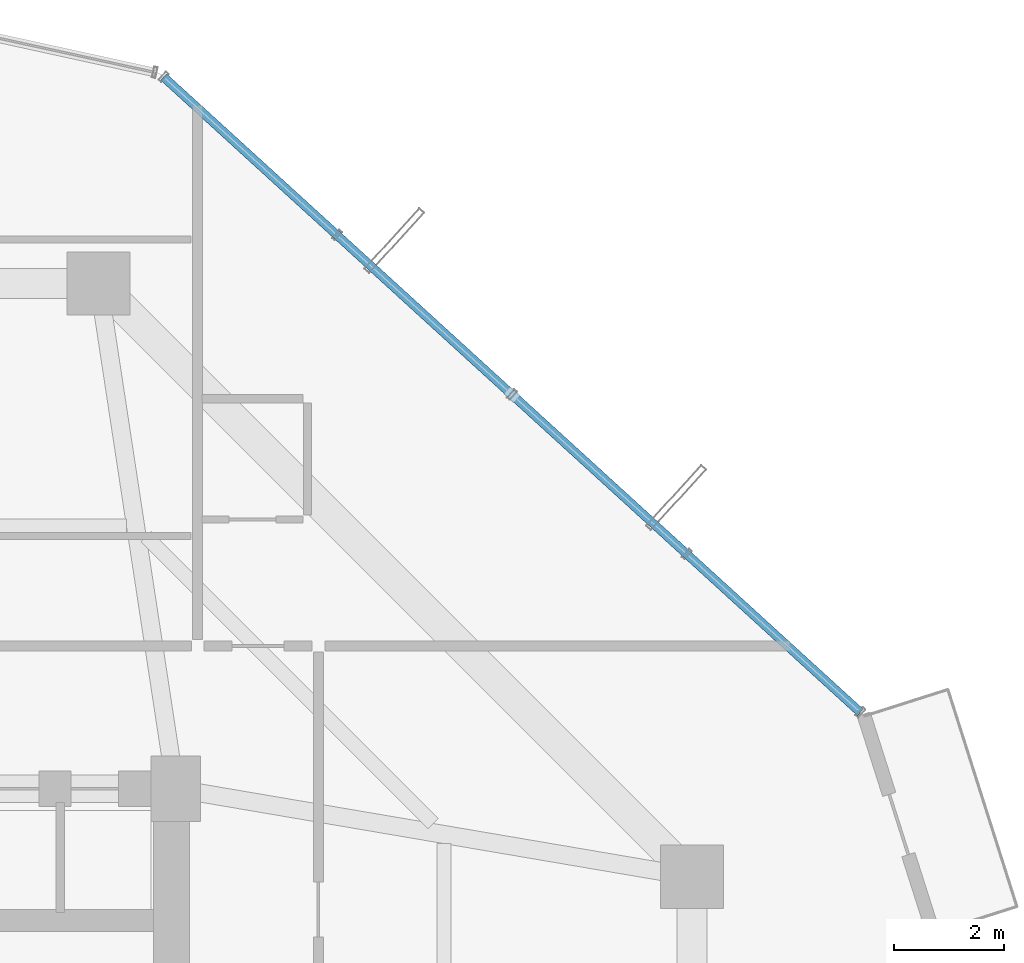
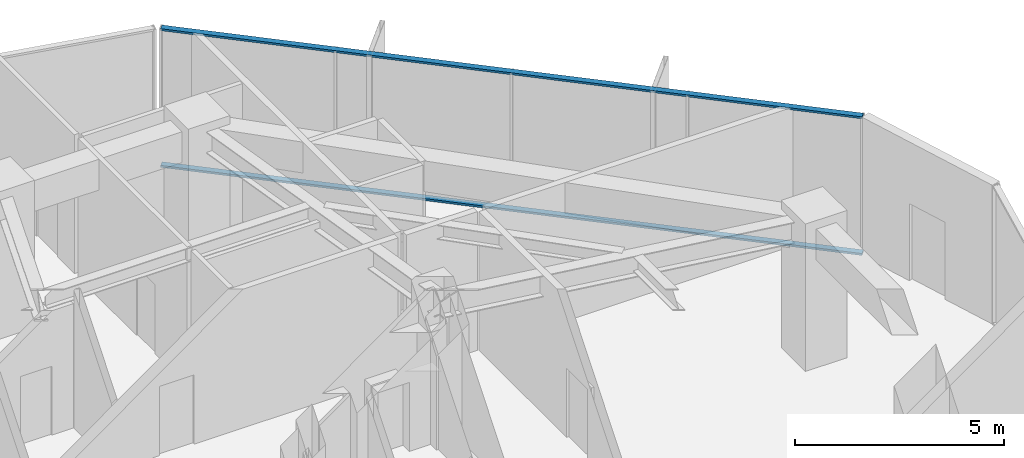
# One storey, part 20 of 28: 2 members, 1 element without a shape of its own.
"""IFC4 building model written with IfcOpenShell, lengths in metres."""

from ifc_helpers import new_model, si_unit, direction, frame, origin, origin_2d, place, context, subcontext, project, spatial, hollow_rectangle, extrude, source, transform, mapped, material, layer, layer_set, material_profile, profile_set, type_object, element, aggregate, save


model = new_model("IFC4")

# Units and contexts
model_context = context("Model", 3, precision=1e-05, world=origin(), true_north=direction((0.0, 1.0)))
body_context = subcontext(model_context, "Body", "Model", "MODEL_VIEW")
ifc_project = project(units=[si_unit("LENGTHUNIT", "METRE"), si_unit("AREAUNIT", "SQUARE_METRE"), si_unit("VOLUMEUNIT", "CUBIC_METRE"), si_unit("PLANEANGLEUNIT", "RADIAN"), si_unit("MASSUNIT", "GRAM", prefix="KILO")], contexts=[model_context])

# Site, building, storey
site_placement = place(None, origin())
site = spatial("IfcSite", under=ifc_project, at=site_placement, CompositionType="ELEMENT")
building_placement = place(site_placement, origin())
building = spatial("IfcBuilding", under=site, at=building_placement, Name="Veraguas Prism Commons", CompositionType="ELEMENT")
storey_placement = place(building_placement, frame((0.0, 0.0, 85.14990234375)))
storey = spatial("IfcBuildingStorey", under=building, at=storey_placement, Name="L23", CompositionType="ELEMENT", Elevation=85.14990234375)

# Curtain wall, members
ifc_material = material(Name="Anodised aluminium EN AW-6063 T6", Category="aluminium")
ifc_layer = layer(ifc_material, 0.199951171875, Name="Sky Lobby and Pool Acoustic Curtain Wall", Category="aluminium")
ifc_layer_set = layer_set([ifc_layer], Name="Anodised aluminium EN AW-6063 T6")
curtain_wall_type = type_object("IfcCurtainWallType", Name="Sky Lobby and Pool Acoustic Curtain Wall", PredefinedType="NOTDEFINED", material=ifc_layer_set)
curtain_wall_placement = place(storey_placement, origin())
curtain_wall = element("IfcCurtainWall", 1, at=curtain_wall_placement, inside=storey, type_object=curtain_wall_type, Name="Tower Facade Curtain Wall L23-F1", PredefinedType="NOTDEFINED")
ifc_material_profile = material_profile(ifc_material, hollow_rectangle(XDim=0.06005859375, YDim=0.159912109375, WallThickness=0.0029296875, at=origin_2d()), Name="AL60X160X3")
ifc_profile_set = profile_set([ifc_material_profile], Name="Anodised aluminium EN AW-6063 T6")
member_type = type_object("IfcMemberType", Name="Curtain Wall Transom Heavy AL 60x160x3", PredefinedType="USERDEFINED", material=ifc_profile_set)
shared_shape = source(origin(), body_context, "Body", "SweptSolid", [
    extrude(hollow_rectangle(XDim=0.06005859375, YDim=0.159912109375, WallThickness=0.0029296875, at=origin_2d()), origin(), (0.0, 0.0, 1.0), 17.16943359375),
])
member_1_placement = place(storey_placement, frame((43.268310546875, 32.39013671875, 0.030029296875), z_axis=(-0.738925859504, 0.673786742343, 0.0), x_axis=(0.0, 0.0, 1.0)))
member_1 = element("IfcMember", 2, at=member_1_placement, type_object=member_type, Name="CW-SKY Transom 1", ObjectType="TRANSOM", PredefinedType="USERDEFINED", context=body_context, shape_type="MappedRepresentation", body=[
    mapped(shared_shape, transform((0.0, 0.0, 0.0), scale=1.0)),
])
member_2_placement = place(storey_placement, frame((43.268310546875, 32.39013671875, 4.02001953125), z_axis=(-0.738925859504, 0.673786742343, 0.0), x_axis=(0.0, 0.0, 1.0)))
member_2 = element("IfcMember", 3, at=member_2_placement, type_object=member_type, Name="CW-SKY Transom 2", ObjectType="TRANSOM", PredefinedType="USERDEFINED", context=body_context, shape_type="MappedRepresentation", body=[
    mapped(shared_shape, transform((0.0, 0.0, 0.0), scale=1.0)),
])
aggregate(curtain_wall, [member_1, member_2])

save(model, "model.ifc")
